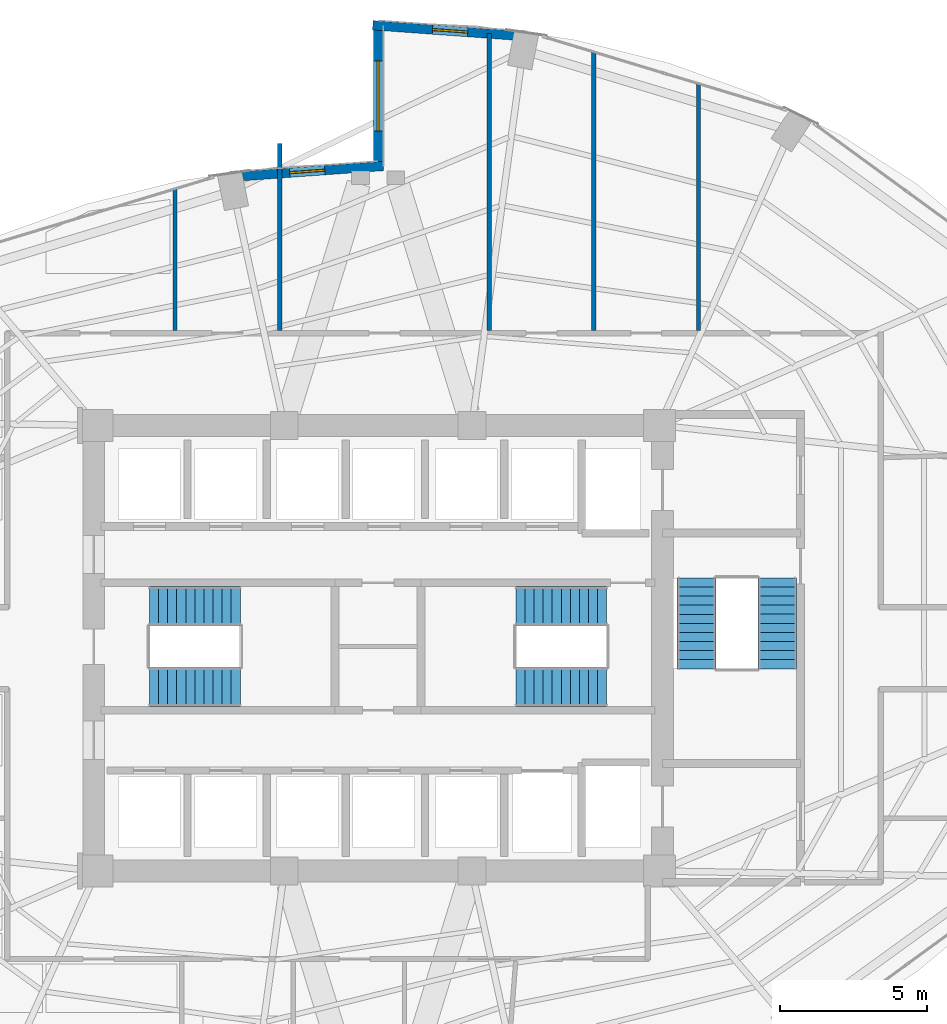
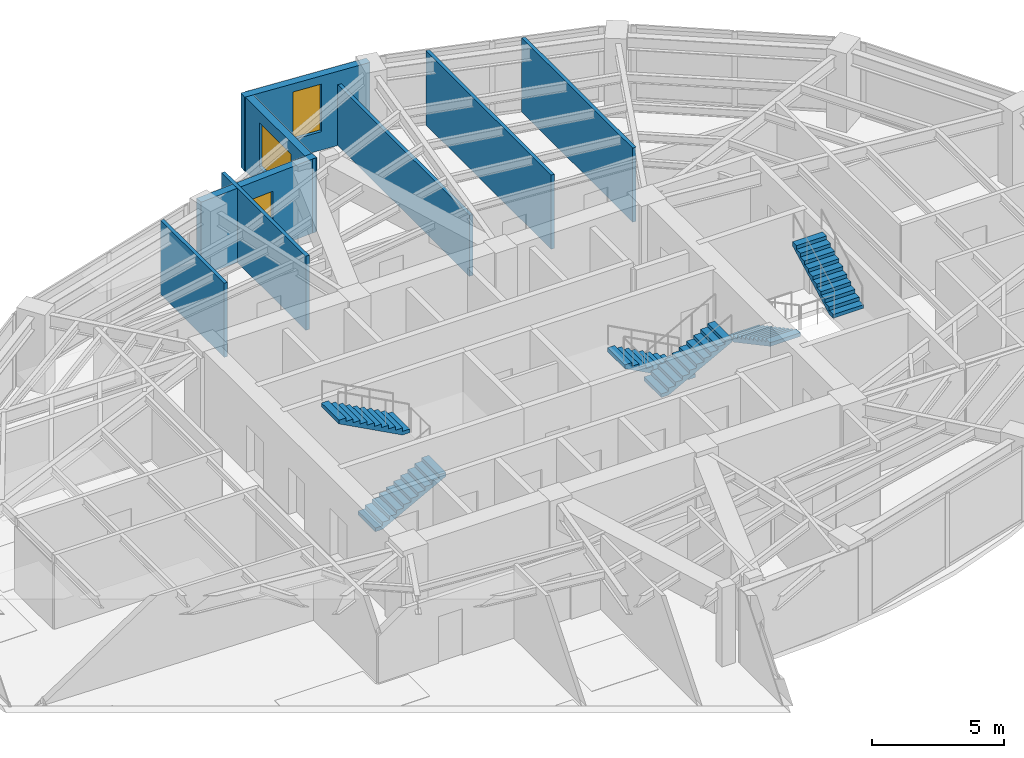
# One storey, part 21 of 23: 8 walls, 6 stair flights, 3 windows, 3 openings, 3 elements without a shape of their own.
"""IFC4 building model written with IfcOpenShell, lengths in metres."""

import ifcopenshell
import ifcopenshell.guid

model = None  # the IFC model being written
_history = None  # IfcOwnerHistory: only IFC2X3 demands one
_inside = {}  # id of a spatial element -> (the spatial element, [elements in it])
_under = {}  # id of a project, library or spatial element -> (it, [spatial elements below it])
_declared = {}  # id of a project -> (the project, [libraries it declares])
_typed = {}  # id of a type object -> (the type object, [elements of that type])
_made_of = {}  # id of a material, layer set ... -> (it, [elements and type objects made of it])


def new_model(schema):
    """Start an empty IFC model of exactly this schema.

    Asked for "IFC4X3", IfcOpenShell would pick the latest addendum, in which some entities
    have other attributes; the version numbers below select the first issue.
    IFC2X3 requires an IfcOwnerHistory on every rooted entity: one is made here for all.
    """
    global model, _history
    if schema == "IFC4X3":
        model = ifcopenshell.file(schema_version=(4, 3, 0, 0))
    else:
        model = ifcopenshell.file(schema=schema)
    _inside.clear()
    _under.clear()
    _declared.clear()
    _typed.clear()
    _made_of.clear()
    _history = None
    if model.schema == "IFC2X3":
        org = make("IfcOrganization", Name="unknown")
        user = make(
            "IfcPersonAndOrganization",
            ThePerson=make("IfcPerson", FamilyName="unknown"),
            TheOrganization=org,
        )
        app = make(
            "IfcApplication",
            ApplicationDeveloper=org,
            Version="unknown",
            ApplicationFullName="unknown",
            ApplicationIdentifier="unknown",
        )
        _history = make(
            "IfcOwnerHistory",
            OwningUser=user,
            OwningApplication=app,
            ChangeAction="ADDED",
            CreationDate=0,
        )
    return model


def make(cls, **values):
    """One entity of the class cls with the attributes given. An attribute that is None is left unset."""
    return model.create_entity(
        cls, **{name: value for name, value in values.items() if value is not None}
    )


def rooted(cls, **values):
    """An entity with a GlobalId (a new one), such as an element, a storey or a relation."""
    return make(cls, GlobalId=ifcopenshell.guid.new(), OwnerHistory=_history, **values)


def si_unit(unit_type, name, prefix=None):
    """IfcSIUnit, for example si_unit("LENGTHUNIT", "METRE", prefix="MILLI")."""
    return make("IfcSIUnit", UnitType=unit_type, Prefix=prefix, Name=name)


def assignment(units):
    """IfcUnitAssignment: the units of a project."""
    return None if units is None else make("IfcUnitAssignment", Units=units)


def point(xyz):
    """IfcCartesianPoint."""
    return None if xyz is None else make("IfcCartesianPoint", Coordinates=xyz)


def direction(xyz):
    """IfcDirection."""
    return None if xyz is None else make("IfcDirection", DirectionRatios=xyz)


def frame(location, z_axis=None, x_axis=None):
    """IfcAxis2Placement3D, a coordinate frame: its origin and axes. An axis left out is left unset."""
    return make(
        "IfcAxis2Placement3D",
        Location=point(location),
        Axis=direction(z_axis),
        RefDirection=direction(x_axis),
    )


def frame_2d(location, x_axis=None):
    """IfcAxis2Placement2D, a coordinate frame in the plane: its origin and x axis."""
    return make(
        "IfcAxis2Placement2D", Location=point(location), RefDirection=direction(x_axis)
    )


def origin():
    """The frame at (0, 0, 0) with its axes left unset."""
    return frame((0.0, 0.0, 0.0))


def place(relative_to, where):
    """IfcLocalPlacement: puts the frame where relative to a parent placement (None: the world)."""
    return make(
        "IfcLocalPlacement", PlacementRelTo=relative_to, RelativePlacement=where
    )


def context(
    kind, dimensions, precision=None, world=None, true_north=None, identifier=None
):
    """IfcGeometricRepresentationContext, for example the 3D "Model" context."""
    return make(
        "IfcGeometricRepresentationContext",
        ContextIdentifier=identifier,
        ContextType=kind,
        CoordinateSpaceDimension=dimensions,
        Precision=precision,
        WorldCoordinateSystem=world,
        TrueNorth=true_north,
    )


def subcontext(parent, identifier, kind, view, scale=None):
    """IfcGeometricRepresentationSubContext, for example "Body" below "Model"."""
    return make(
        "IfcGeometricRepresentationSubContext",
        ContextIdentifier=identifier,
        ContextType=kind,
        ParentContext=parent,
        TargetScale=scale,
        TargetView=view,
    )


def project(units=None, contexts=None):
    """IfcProject with its units and contexts."""
    return rooted(
        "IfcProject",
        Name="project",
        RepresentationContexts=contexts,
        UnitsInContext=assignment(units),
    )


def spatial(cls, under=None, at=None, **own):
    """A site, building, storey or space (cls), placed at a placement, below another one or the project."""
    s = rooted(cls, ObjectPlacement=at, **own)
    if under is not None:
        _under.setdefault(under.id(), (under, []))[1].append(s)
    return s


def polyline(points):
    """IfcPolyline through the points."""
    return make("IfcPolyline", Points=[point(p) for p in points])


def profile(cls, at=None, kind="AREA", **sizes):
    """A parametric profile (cls). Its sizes go by their IFC names, for example OverallWidth=200.0."""
    return make(cls, ProfileType=kind, Position=at, **sizes)


def rectangle(**sizes):
    """IfcRectangleProfileDef."""
    return profile("IfcRectangleProfileDef", **sizes)


def outline(outer, holes=None, kind="AREA"):
    """IfcArbitraryClosedProfileDef: a profile drawn as a closed curve; with holes, ...WithVoids."""
    if holes is None:
        return make("IfcArbitraryClosedProfileDef", ProfileType=kind, OuterCurve=outer)
    return make(
        "IfcArbitraryProfileDefWithVoids",
        ProfileType=kind,
        OuterCurve=outer,
        InnerCurves=holes,
    )


def extrude(swept, where, along, depth):
    """IfcExtrudedAreaSolid: the profile swept, set in the frame where, extruded along a direction by depth."""
    return make(
        "IfcExtrudedAreaSolid",
        SweptArea=swept,
        Position=where,
        ExtrudedDirection=direction(along),
        Depth=depth,
    )


def shape(context_of_items, identifier, shape_type, items):
    """IfcShapeRepresentation: the items that make up one representation, for example the "Body"."""
    return make(
        "IfcShapeRepresentation",
        ContextOfItems=context_of_items,
        RepresentationIdentifier=identifier,
        RepresentationType=shape_type,
        Items=items,
    )


def material(Name=None, Category=None):
    """IfcMaterial."""
    return make("IfcMaterial", Name=Name, Category=Category)


def layer(
    of_material, thickness, ventilated=None, Name=None, Category=None, Priority=None
):
    """IfcMaterialLayer: one layer of a wall or slab, of a material (None: an air gap)."""
    return make(
        "IfcMaterialLayer",
        Material=of_material,
        LayerThickness=thickness,
        IsVentilated=ventilated,
        Name=Name,
        Category=Category,
        Priority=Priority,
    )


def layer_set(layers, Name=None):
    """IfcMaterialLayerSet."""
    return make("IfcMaterialLayerSet", MaterialLayers=layers, LayerSetName=Name)


def made_of(thing, what):
    """Note that an element or type object is made of a material, layer set ...; save() writes the relation."""
    if what is not None:
        _made_of.setdefault(what.id(), (what, []))[1].append(thing)
    return thing


def type_object(cls, material=None, **own):
    """A type object (cls), such as IfcWallType, which elements share."""
    return made_of(rooted(cls, **own), material)


def element(
    cls,
    number,
    at=None,
    inside=None,
    cuts=None,
    type_object=None,
    material=None,
    context=None,
    identifier="Body",
    shape_type=None,
    held_by="IfcProductDefinitionShape",
    body=None,
    shapes=None,
    **own,
):
    """One element of the class cls, such as IfcWall. Its Tag is "e" and its number.

    at: its placement. inside: the storey or other place that contains it. cuts: it is an
    opening in that element (IfcRelVoidsElement). A single representation is given by context,
    identifier, shape_type and body (its items); several are given by shapes. held_by: the class
    of the entity that holds the representations. save() writes the other relations.
    """
    e = rooted(cls, Tag="e%d" % number, ObjectPlacement=at, **own)
    if body is not None:
        shapes = [shape(context, identifier, shape_type, body)]
    if shapes is not None:
        e.Representation = make(held_by, Representations=shapes)
    if inside is not None:
        _inside.setdefault(inside.id(), (inside, []))[1].append(e)
    if cuts is not None:
        rooted(
            "IfcRelVoidsElement", RelatingBuildingElement=cuts, RelatedOpeningElement=e
        )
    if type_object is not None:
        _typed.setdefault(type_object.id(), (type_object, []))[1].append(e)
    return made_of(e, material)


def fill(opening, filler):
    """IfcRelFillsElement: the door or window that sits in an opening."""
    return rooted(
        "IfcRelFillsElement",
        RelatingOpeningElement=opening,
        RelatedBuildingElement=filler,
    )


def aggregate(whole, parts):
    """IfcRelAggregates: a whole, such as a stair, and the parts it consists of."""
    return rooted("IfcRelAggregates", RelatingObject=whole, RelatedObjects=parts)


def save(model, path):
    """Write the relations noted so far, then the file.

    IfcRelAggregates (storeys below a building ...), IfcRelContainedInSpatialStructure (elements
    in a storey), IfcRelDefinesByType, IfcRelAssociatesMaterial and IfcRelDeclares: one each for
    every whole, place, type object, material and project.
    """
    for whole, parts in _under.values():
        aggregate(whole, parts)
    for where, things in _inside.values():
        rooted(
            "IfcRelContainedInSpatialStructure",
            RelatedElements=things,
            RelatingStructure=where,
        )
    for kind, things in _typed.values():
        rooted("IfcRelDefinesByType", RelatedObjects=things, RelatingType=kind)
    for what, things in _made_of.values():
        rooted("IfcRelAssociatesMaterial", RelatedObjects=things, RelatingMaterial=what)
    for by, libraries in _declared.values():
        rooted("IfcRelDeclares", RelatingContext=by, RelatedDefinitions=libraries)
    model.write(path)


model = new_model("IFC4")

# Units and contexts
model_context = context("Model", 3, precision=1e-05, world=origin(), true_north=direction((0.0, 1.0)))
body_context = subcontext(model_context, "Body", "Model", "MODEL_VIEW")
ifc_project = project(units=[si_unit("LENGTHUNIT", "METRE"), si_unit("AREAUNIT", "SQUARE_METRE"), si_unit("VOLUMEUNIT", "CUBIC_METRE"), si_unit("PLANEANGLEUNIT", "RADIAN"), si_unit("MASSUNIT", "GRAM", prefix="KILO")], contexts=[model_context])

# Site, building, storey
site_placement = place(None, origin())
site = spatial("IfcSite", under=ifc_project, at=site_placement, CompositionType="ELEMENT")
building_placement = place(site_placement, origin())
building = spatial("IfcBuilding", under=site, at=building_placement, Name="Lazwardi Medical Tower", CompositionType="ELEMENT")
storey_placement = place(building_placement, frame((0.0, 0.0, 85.39208984375)))
storey = spatial("IfcBuildingStorey", under=building, at=storey_placement, Name="L21", CompositionType="ELEMENT", Elevation=85.39208984375)

# Wall, opening, window
ifc_material_1 = material(Name="Precast concrete C45/55", Category="concrete")
ifc_layer_1 = layer(ifc_material_1, 0.320068359375)
ifc_layer_set_1 = layer_set([ifc_layer_1], Name="Precast concrete C45/55")
wall_type_1 = type_object("IfcWallType", Name="WL-IWAN-320", PredefinedType="SOLIDWALL", material=ifc_layer_set_1)
wall_1_placement = place(storey_placement, frame((41.091064453125, 48.87451171875, 0.0), z_axis=(0.0, 0.0, 1.0), x_axis=(-0.997432364291, 0.071614793619, 0.0)))
wall_1 = element("IfcWall", 1, at=wall_1_placement, inside=storey, type_object=wall_type_1, Name="L21 Iwan Portal Return Wall NE_ret", PredefinedType="SOLIDWALL", context=body_context, shape_type="SweptSolid", body=[
    extrude(rectangle(XDim=5.2841796875, YDim=0.320068359375, at=frame_2d((2.64208984375, 0.0))), origin(), (0.0, 0.0, 1.0), 3.427978515625),
])
opening_1_placement = place(wall_1_placement, frame((2.0419921875, 0.0, 0.85009765625)))
opening_1 = element("IfcOpeningElement", 2, at=opening_1_placement, cuts=wall_1, Name="Opening WN-01", PredefinedType="OPENING", context=body_context, shape_type="SweptSolid", body=[
    extrude(rectangle(XDim=1.199951171875, YDim=2.199951171875, at=frame_2d((0.60009765625, 1.10009765625))), frame((0.0, 0.169921875, 0.0), z_axis=(0.0, -1.0, 0.0), x_axis=(1.0, 0.0, 0.0)), (0.0, 0.0, 1.0), 0.340087890625),
])
ifc_material_2 = material(Name="Low-e bronze solar control double glazing", Category="glass")
window_type_1 = type_object("IfcWindowType", Name="WIN-IW-1200", PartitioningType="SINGLE_PANEL", PredefinedType="WINDOW", material=ifc_material_2)
window_1_placement = place(opening_1_placement, origin())
window_1 = element("IfcWindow", 3, at=window_1_placement, inside=storey, type_object=window_type_1, Name="L21 Iwan Slot Window NE_ret", OverallHeight=2.199951171875, OverallWidth=1.199951171875, PartitioningType="SINGLE_PANEL", PredefinedType="WINDOW", context=body_context, shape_type="SweptSolid", body=[
    extrude(rectangle(XDim=1.199951171875, YDim=2.199951171875, at=frame_2d((0.60009765625, 1.10009765625))), frame((0.0, 0.030029296875, 0.0), z_axis=(0.0, -1.0, 0.0), x_axis=(1.0, 0.0, 0.0)), (0.0, 0.0, 1.0), 0.06005859375),
])
fill(opening_1, window_1)

wall_2_placement = place(storey_placement, frame((36.178955078125, 44.452880859375, 0.0), z_axis=(0.0, 0.0, 1.0), x_axis=(-0.997431890304, -0.071621394884, 0.0)))
wall_2 = element("IfcWall", 4, at=wall_2_placement, inside=storey, type_object=wall_type_1, Name="L21 Iwan Portal Return Wall NW_ret", PredefinedType="SOLIDWALL", context=body_context, shape_type="SweptSolid", body=[
    extrude(rectangle(XDim=5.28369140625, YDim=0.320068359375, at=frame_2d((2.641845703125, 0.0))), origin(), (0.0, 0.0, 1.0), 3.427978515625),
])
opening_2_placement = place(wall_2_placement, frame((2.007080078125, 0.0, 0.85009765625)))
opening_2 = element("IfcOpeningElement", 5, at=opening_2_placement, cuts=wall_2, Name="Opening WN-04", PredefinedType="OPENING", context=body_context, shape_type="SweptSolid", body=[
    extrude(rectangle(XDim=1.199951171875, YDim=1.800048828125, at=frame_2d((0.60009765625, 0.89990234375))), frame((0.0, 0.169921875, 0.0), z_axis=(0.0, -1.0, 0.0), x_axis=(1.0, 0.0, 0.0)), (0.0, 0.0, 1.0), 0.340087890625),
])
window_type_2 = type_object("IfcWindowType", Name="WIN-DRUM-1200", PartitioningType="SINGLE_PANEL", PredefinedType="WINDOW", material=ifc_material_2)
window_2_placement = place(opening_2_placement, origin())
window_2 = element("IfcWindow", 6, at=window_2_placement, inside=storey, type_object=window_type_2, Name="L21 Iwan Slot Window NW_ret", OverallHeight=1.800048828125, OverallWidth=1.199951171875, PartitioningType="SINGLE_PANEL", PredefinedType="WINDOW", context=body_context, shape_type="SweptSolid", body=[
    extrude(rectangle(XDim=1.199951171875, YDim=1.800048828125, at=frame_2d((0.60009765625, 0.89990234375))), frame((0.0, 0.030029296875, 0.0), z_axis=(0.0, -1.0, 0.0), x_axis=(1.0, 0.0, 0.0)), (0.0, 0.0, 1.0), 0.06005859375),
])
fill(opening_2, window_2)

wall_3_placement = place(storey_placement, frame((36.0, 49.39990234375, 0.0), z_axis=(0.0, 0.0, 1.0), x_axis=(0.0, -1.0, 0.0)))
wall_3 = element("IfcWall", 7, at=wall_3_placement, inside=storey, type_object=wall_type_1, Name="L21 Turquoise Tilework Iwan Seam Wall N_seam", PredefinedType="SOLIDWALL", context=body_context, shape_type="SweptSolid", body=[
    extrude(rectangle(XDim=5.119873046875, YDim=0.320068359375, at=frame_2d((2.56005859375, 0.0))), origin(), (0.0, 0.0, 1.0), 3.427978515625),
])
opening_3_placement = place(wall_3_placement, frame((1.360107421875, 0.0, 0.840087890625)))
opening_3 = element("IfcOpeningElement", 8, at=opening_3_placement, cuts=wall_3, Name="Opening WN-02", PredefinedType="OPENING", context=body_context, shape_type="SweptSolid", body=[
    extrude(rectangle(XDim=2.39990234375, YDim=2.0400390625, at=frame_2d((1.199951171875, 1.02001953125))), frame((0.0, 0.169921875, 0.0), z_axis=(0.0, -1.0, 0.0), x_axis=(1.0, 0.0, 0.0)), (0.0, 0.0, 1.0), 0.340087890625),
])
window_type_3 = type_object("IfcWindowType", Name="WIN-IW-2400", PartitioningType="SINGLE_PANEL", PredefinedType="WINDOW", material=ifc_material_2)
window_3_placement = place(opening_3_placement, origin())
window_3 = element("IfcWindow", 9, at=window_3_placement, inside=storey, type_object=window_type_3, Name="L21 Iwan Seam Window N_seam", OverallHeight=2.0400390625, OverallWidth=2.39990234375, PartitioningType="SINGLE_PANEL", PredefinedType="WINDOW", context=body_context, shape_type="SweptSolid", body=[
    extrude(rectangle(XDim=2.39990234375, YDim=2.0400390625, at=frame_2d((1.199951171875, 1.02001953125))), frame((0.0, 0.030029296875, 0.0), z_axis=(0.0, -1.0, 0.0), x_axis=(1.0, 0.0, 0.0)), (0.0, 0.0, 1.0), 0.06005859375),
])
fill(opening_3, window_3)

# Walls
ifc_material_3 = material(Name="Acoustic gypsum board partition")
ifc_layer_2 = layer(ifc_material_3, 0.14990234375)
ifc_layer_set_2 = layer_set([ifc_layer_2], Name="Acoustic gypsum board partition")
wall_type_2 = type_object("IfcWallType", Name="WL-WRD-150", PredefinedType="PARTITIONING", material=ifc_layer_set_2)
wall_4_placement = place(storey_placement, frame((29.070068359375, 38.840087890625, 0.0), z_axis=(0.0, 0.0, 1.0), x_axis=(0.0, 1.0, 0.0)))
element("IfcWall", 10, at=wall_4_placement, inside=storey, type_object=wall_type_2, Name="L21 Room partition 5", PredefinedType="PARTITIONING", context=body_context, shape_type="SweptSolid", body=[
    extrude(rectangle(XDim=4.817138671875, YDim=0.14990234375, at=frame_2d((2.40869140625, 0.0))), origin(), (0.0, 0.0, 1.0), 3.427978515625),
])
wall_5_placement = place(storey_placement, frame((32.639892578125, 38.840087890625, 0.0), z_axis=(0.0, 0.0, 1.0), x_axis=(0.0, 1.0, 0.0)))
element("IfcWall", 11, at=wall_5_placement, inside=storey, type_object=wall_type_2, Name="L21 Room partition 6", PredefinedType="PARTITIONING", context=body_context, shape_type="SweptSolid", body=[
    extrude(rectangle(XDim=6.379638671875, YDim=0.14990234375, at=frame_2d((3.18994140625, 0.0))), origin(), (0.0, 0.0, 1.0), 3.427978515625),
])
wall_6_placement = place(storey_placement, frame((39.7900390625, 38.840087890625, 0.0), z_axis=(0.0, 0.0, 1.0), x_axis=(0.0, 1.0, 0.0)))
element("IfcWall", 12, at=wall_6_placement, inside=storey, type_object=wall_type_2, Name="L21 Room partition 7", PredefinedType="PARTITIONING", context=body_context, shape_type="SweptSolid", body=[
    extrude(rectangle(XDim=10.13525390625, YDim=0.14990234375, at=frame_2d((5.067626953125, 0.0))), origin(), (0.0, 0.0, 1.0), 2.81298828125),
])
wall_7_placement = place(storey_placement, frame((43.360107421875, 38.840087890625, 0.0), z_axis=(0.0, 0.0, 1.0), x_axis=(0.0, 1.0, 0.0)))
element("IfcWall", 13, at=wall_7_placement, inside=storey, type_object=wall_type_2, Name="L21 Room partition 8", PredefinedType="PARTITIONING", context=body_context, shape_type="SweptSolid", body=[
    extrude(rectangle(XDim=9.4873046875, YDim=0.14990234375, at=frame_2d((4.74365234375, 0.0))), origin(), (0.0, 0.0, 1.0), 3.427978515625),
])
wall_8_placement = place(storey_placement, frame((46.929931640625, 38.840087890625, 0.0), z_axis=(0.0, 0.0, 1.0), x_axis=(0.0, 1.0, 0.0)))
element("IfcWall", 14, at=wall_8_placement, inside=storey, type_object=wall_type_2, Name="L21 Room partition 9", PredefinedType="PARTITIONING", context=body_context, shape_type="SweptSolid", body=[
    extrude(rectangle(XDim=8.407958984375, YDim=0.14990234375, at=frame_2d((4.2041015625, 0.0))), origin(), (0.0, 0.0, 1.0), 3.427978515625),
])

# Stair, stair flights
ifc_material_4 = material(Name="Concrete C45/55", Category="concrete")
stair_type = type_object("IfcStairType", Name="STR-WRD", PredefinedType="HALF_TURN_STAIR", material=ifc_material_4)
stair_1_placement = place(storey_placement, origin())
stair_1 = element("IfcStair", 15, at=stair_1_placement, inside=storey, type_object=stair_type, Name="L21 Protected Exit Stair ST1", PredefinedType="HALF_TURN_STAIR")
stair_flight_type = type_object("IfcStairFlightType", Name="FLT-WRD", PredefinedType="STRAIGHT", material=ifc_material_4)
stair_flight_1_placement = place(storey_placement, frame((28.199951171875, 26.679931640625, 0.0), z_axis=(0.0, 0.0, 1.0), x_axis=(1.0, 0.0, 0.0)))
stair_flight_1 = element("IfcStairFlight", 16, at=stair_flight_1_placement, type_object=stair_flight_type, Name="ST1 flight 1", NumberOfRisers=11, NumberOfTreads=10, PredefinedType="STRAIGHT", RiserHeight=0.165818182, TreadLength=0.31, context=body_context, shape_type="SweptSolid", body=[
    extrude(outline(polyline([(0.0, 0.0), (0.0, 0.165771484375), (0.31005859375, 0.165771484375), (0.31005859375, 0.33154296875), (0.6201171875, 0.33154296875), (0.6201171875, 0.49755859375), (0.929931640625, 0.49755859375), (0.929931640625, 0.663330078125), (1.239990234375, 0.663330078125), (1.239990234375, 0.8291015625), (1.550048828125, 0.8291015625), (1.550048828125, 0.994873046875), (1.860107421875, 0.994873046875), (1.860107421875, 1.16064453125), (2.169921875, 1.16064453125), (2.169921875, 1.32666015625), (2.47998046875, 1.32666015625), (2.47998046875, 1.492431640625), (2.7900390625, 1.492431640625), (2.7900390625, 1.658203125), (3.10009765625, 1.658203125), (3.10009765625, 1.823974609375), (3.10009765625, 1.48828125), (0.31787109375, 0.0), (0.0, 0.0)])), frame((0.0, 0.66015625, 0.0), z_axis=(0.0, -1.0, 0.0), x_axis=(1.0, 0.0, 0.0)), (0.0, 0.0, 1.0), 1.320068359375),
])
stair_flight_2_placement = place(storey_placement, frame((31.300048828125, 29.43994140625, 1.823974609375), z_axis=(0.0, 0.0, 1.0), x_axis=(-1.0, 0.0, 0.0)))
stair_flight_2 = element("IfcStairFlight", 17, at=stair_flight_2_placement, type_object=stair_flight_type, Name="ST1 flight 2", NumberOfRisers=11, NumberOfTreads=10, PredefinedType="STRAIGHT", RiserHeight=0.165818182, TreadLength=0.31, context=body_context, shape_type="SweptSolid", body=[
    extrude(outline(polyline([(0.0, 0.0), (0.0, 0.165771484375), (0.31005859375, 0.165771484375), (0.31005859375, 0.33154296875), (0.6201171875, 0.33154296875), (0.6201171875, 0.49755859375), (0.929931640625, 0.49755859375), (0.929931640625, 0.663330078125), (1.239990234375, 0.663330078125), (1.239990234375, 0.8291015625), (1.550048828125, 0.8291015625), (1.550048828125, 0.994873046875), (1.860107421875, 0.994873046875), (1.860107421875, 1.16064453125), (2.169921875, 1.16064453125), (2.169921875, 1.32666015625), (2.47998046875, 1.32666015625), (2.47998046875, 1.492431640625), (2.7900390625, 1.492431640625), (2.7900390625, 1.658203125), (3.10009765625, 1.658203125), (3.10009765625, 1.823974609375), (3.10009765625, 1.48828125), (0.31787109375, 0.0), (0.0, 0.0)])), frame((0.0, 0.66015625, 0.0), z_axis=(0.0, -1.0, 0.0), x_axis=(1.0, 0.0, 0.0)), (0.0, 0.0, 1.0), 1.320068359375),
])
aggregate(stair_1, [stair_flight_1, stair_flight_2])

stair_2_placement = place(storey_placement, origin())
stair_2 = element("IfcStair", 18, at=stair_2_placement, inside=storey, type_object=stair_type, Name="L21 Protected Exit Stair ST2", PredefinedType="HALF_TURN_STAIR")
stair_flight_3_placement = place(storey_placement, frame((43.800048828125, 29.43994140625, 0.0), z_axis=(0.0, 0.0, 1.0), x_axis=(-1.0, 0.0, 0.0)))
stair_flight_3 = element("IfcStairFlight", 19, at=stair_flight_3_placement, type_object=stair_flight_type, Name="ST2 flight 1", NumberOfRisers=11, NumberOfTreads=10, PredefinedType="STRAIGHT", RiserHeight=0.165818182, TreadLength=0.31, context=body_context, shape_type="SweptSolid", body=[
    extrude(outline(polyline([(0.0, 0.0), (0.0, 0.165771484375), (0.31005859375, 0.165771484375), (0.31005859375, 0.33154296875), (0.6201171875, 0.33154296875), (0.6201171875, 0.49755859375), (0.929931640625, 0.49755859375), (0.929931640625, 0.663330078125), (1.239990234375, 0.663330078125), (1.239990234375, 0.8291015625), (1.550048828125, 0.8291015625), (1.550048828125, 0.994873046875), (1.860107421875, 0.994873046875), (1.860107421875, 1.16064453125), (2.169921875, 1.16064453125), (2.169921875, 1.32666015625), (2.47998046875, 1.32666015625), (2.47998046875, 1.492431640625), (2.7900390625, 1.492431640625), (2.7900390625, 1.658203125), (3.10009765625, 1.658203125), (3.10009765625, 1.823974609375), (3.10009765625, 1.48828125), (0.31787109375, 0.0), (0.0, 0.0)])), frame((0.0, 0.66015625, 0.0), z_axis=(0.0, -1.0, 0.0), x_axis=(1.0, 0.0, 0.0)), (0.0, 0.0, 1.0), 1.320068359375),
])
stair_flight_4_placement = place(storey_placement, frame((40.699951171875, 26.679931640625, 1.823974609375), z_axis=(0.0, 0.0, 1.0), x_axis=(1.0, 0.0, 0.0)))
stair_flight_4 = element("IfcStairFlight", 20, at=stair_flight_4_placement, type_object=stair_flight_type, Name="ST2 flight 2", NumberOfRisers=11, NumberOfTreads=10, PredefinedType="STRAIGHT", RiserHeight=0.165818182, TreadLength=0.31, context=body_context, shape_type="SweptSolid", body=[
    extrude(outline(polyline([(0.0, 0.0), (0.0, 0.165771484375), (0.31005859375, 0.165771484375), (0.31005859375, 0.33154296875), (0.6201171875, 0.33154296875), (0.6201171875, 0.49755859375), (0.929931640625, 0.49755859375), (0.929931640625, 0.663330078125), (1.239990234375, 0.663330078125), (1.239990234375, 0.8291015625), (1.550048828125, 0.8291015625), (1.550048828125, 0.994873046875), (1.860107421875, 0.994873046875), (1.860107421875, 1.16064453125), (2.169921875, 1.16064453125), (2.169921875, 1.32666015625), (2.47998046875, 1.32666015625), (2.47998046875, 1.492431640625), (2.7900390625, 1.492431640625), (2.7900390625, 1.658203125), (3.10009765625, 1.658203125), (3.10009765625, 1.823974609375), (3.10009765625, 1.48828125), (0.31787109375, 0.0), (0.0, 0.0)])), frame((0.0, 0.66015625, 0.0), z_axis=(0.0, -1.0, 0.0), x_axis=(1.0, 0.0, 0.0)), (0.0, 0.0, 1.0), 1.320068359375),
])
aggregate(stair_2, [stair_flight_3, stair_flight_4])

stair_3_placement = place(storey_placement, origin())
stair_3 = element("IfcStair", 21, at=stair_3_placement, inside=storey, type_object=stair_type, Name="L21 Protected Exit Stair ST3", PredefinedType="HALF_TURN_STAIR")
stair_flight_5_placement = place(storey_placement, frame((46.860107421875, 30.39990234375, 0.0), z_axis=(0.0, 0.0, 1.0), x_axis=(0.0, -1.0, 0.0)))
stair_flight_5 = element("IfcStairFlight", 22, at=stair_flight_5_placement, type_object=stair_flight_type, Name="ST3 flight 1", NumberOfRisers=11, NumberOfTreads=10, PredefinedType="STRAIGHT", RiserHeight=0.165818182, TreadLength=0.31, context=body_context, shape_type="SweptSolid", body=[
    extrude(outline(polyline([(0.0, 0.0), (0.0, 0.165771484375), (0.31005859375, 0.165771484375), (0.31005859375, 0.33154296875), (0.6201171875, 0.33154296875), (0.6201171875, 0.49755859375), (0.929931640625, 0.49755859375), (0.929931640625, 0.663330078125), (1.239990234375, 0.663330078125), (1.239990234375, 0.8291015625), (1.550048828125, 0.8291015625), (1.550048828125, 0.994873046875), (1.860107421875, 0.994873046875), (1.860107421875, 1.16064453125), (2.169921875, 1.16064453125), (2.169921875, 1.32666015625), (2.47998046875, 1.32666015625), (2.47998046875, 1.492431640625), (2.7900390625, 1.492431640625), (2.7900390625, 1.658203125), (3.10009765625, 1.658203125), (3.10009765625, 1.823974609375), (3.10009765625, 1.48828125), (0.31787109375, 0.0), (0.0, 0.0)])), frame((0.0, 0.66015625, 0.0), z_axis=(0.0, -1.0, 0.0), x_axis=(1.0, 0.0, 0.0)), (0.0, 0.0, 1.0), 1.320068359375),
])
stair_flight_6_placement = place(storey_placement, frame((49.6201171875, 27.300048828125, 1.823974609375), z_axis=(0.0, 0.0, 1.0), x_axis=(0.0, 1.0, 0.0)))
stair_flight_6 = element("IfcStairFlight", 23, at=stair_flight_6_placement, type_object=stair_flight_type, Name="ST3 flight 2", NumberOfRisers=11, NumberOfTreads=10, PredefinedType="STRAIGHT", RiserHeight=0.165818182, TreadLength=0.31, context=body_context, shape_type="SweptSolid", body=[
    extrude(outline(polyline([(0.0, 0.0), (0.0, 0.165771484375), (0.31005859375, 0.165771484375), (0.31005859375, 0.33154296875), (0.6201171875, 0.33154296875), (0.6201171875, 0.49755859375), (0.929931640625, 0.49755859375), (0.929931640625, 0.663330078125), (1.239990234375, 0.663330078125), (1.239990234375, 0.8291015625), (1.550048828125, 0.8291015625), (1.550048828125, 0.994873046875), (1.860107421875, 0.994873046875), (1.860107421875, 1.16064453125), (2.169921875, 1.16064453125), (2.169921875, 1.32666015625), (2.47998046875, 1.32666015625), (2.47998046875, 1.492431640625), (2.7900390625, 1.492431640625), (2.7900390625, 1.658203125), (3.10009765625, 1.658203125), (3.10009765625, 1.823974609375), (3.10009765625, 1.48828125), (0.31787109375, 0.0), (0.0, 0.0)])), frame((0.0, 0.66015625, 0.0), z_axis=(0.0, -1.0, 0.0), x_axis=(1.0, 0.0, 0.0)), (0.0, 0.0, 1.0), 1.320068359375),
])
aggregate(stair_3, [stair_flight_5, stair_flight_6])

save(model, "model.ifc")
